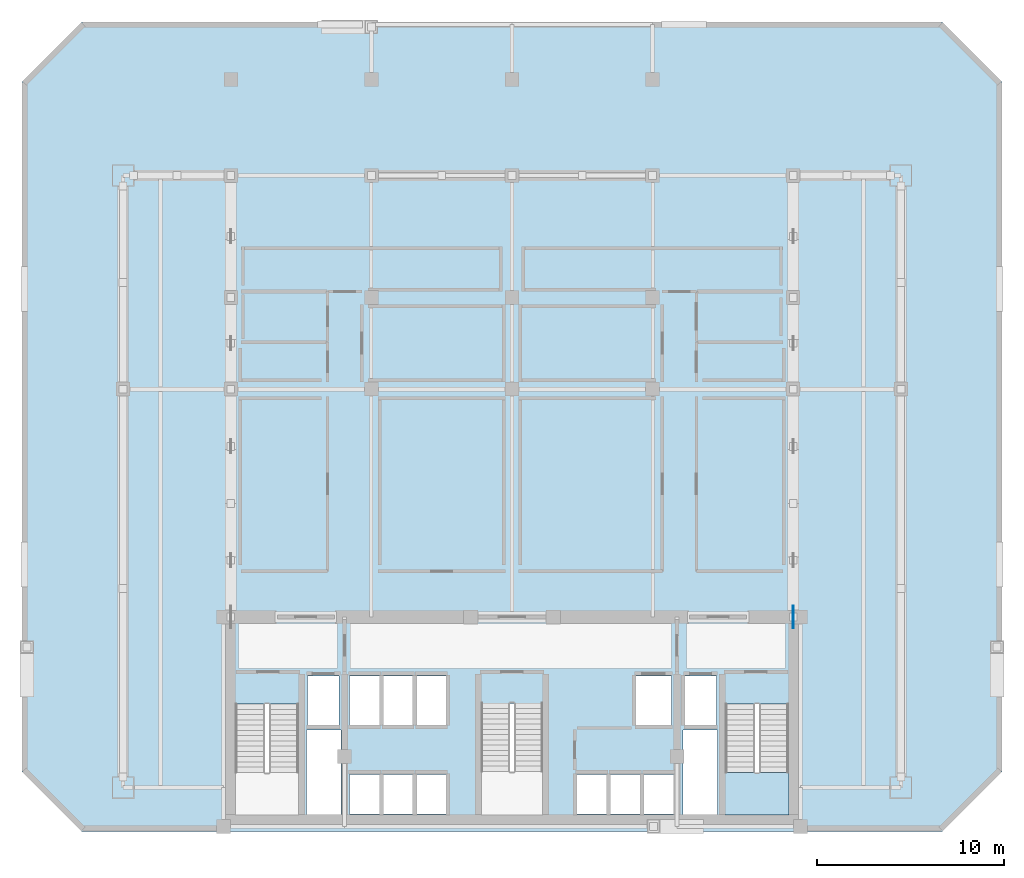
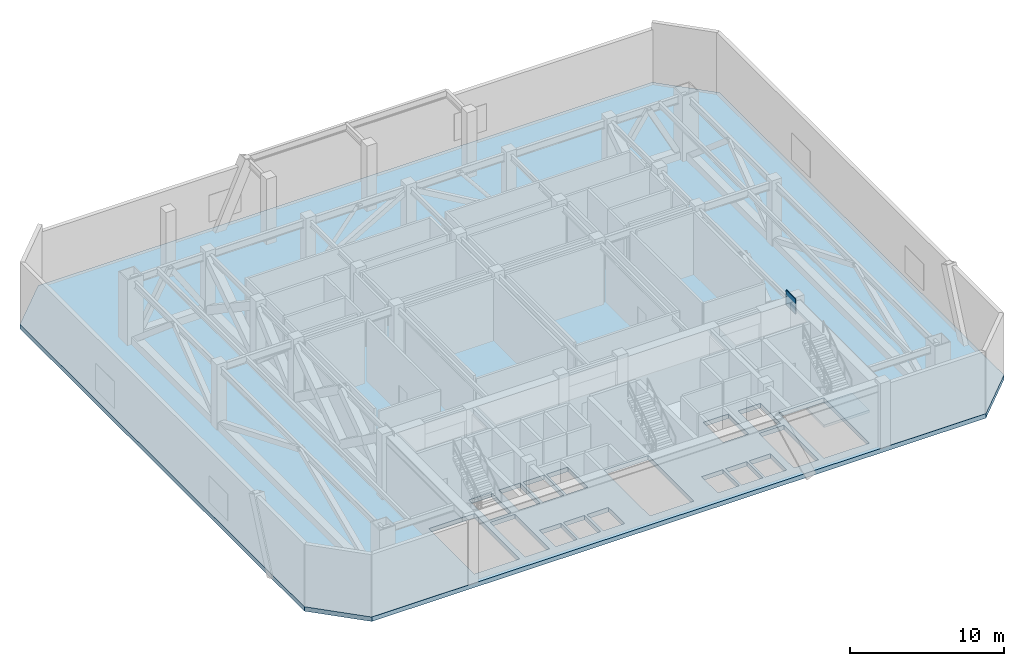
# One storey, part 4 of 10: 2 slabs, 1 plate, 1 element without a shape of its own.
"""IFC4 building model written with IfcOpenShell, lengths in metres."""

from ifc_helpers import new_model, si_unit, direction, frame, origin, origin_2d, place, context, subcontext, project, spatial, polyline, rectangle, outline, extrude, material, layer, layer_set, type_object, element, aggregate, save


model = new_model("IFC4")

# Units and contexts
model_context = context("Model", 3, precision=1e-05, world=origin(), true_north=direction((0.0, 1.0)))
body_context = subcontext(model_context, "Body", "Model", "MODEL_VIEW")
ifc_project = project(units=[si_unit("LENGTHUNIT", "METRE"), si_unit("AREAUNIT", "SQUARE_METRE"), si_unit("VOLUMEUNIT", "CUBIC_METRE"), si_unit("PLANEANGLEUNIT", "RADIAN"), si_unit("MASSUNIT", "GRAM", prefix="KILO")], contexts=[model_context])

# Site, building, storey
site_placement = place(None, origin())
site = spatial("IfcSite", under=ifc_project, at=site_placement, CompositionType="ELEMENT")
building_placement = place(site_placement, origin())
building = spatial("IfcBuilding", under=site, at=building_placement, Name="Ventersveld Concourse Tower", CompositionType="ELEMENT")
storey_placement = place(building_placement, frame((0.0, 0.0, 134.949951171875)))
storey = spatial("IfcBuildingStorey", under=building, at=storey_placement, Name="L33", CompositionType="ELEMENT", Elevation=134.949951171875)

# Plate
ifc_material_1 = material(Name="Structural steel S355J2", Category="steel")
ifc_layer_1 = layer(ifc_material_1, 0.0400390625)
ifc_layer_set_1 = layer_set([ifc_layer_1], Name="Structural steel S355J2")
plate_type = type_object("IfcPlateType", Name="PL-GUSSET-40", PredefinedType="USERDEFINED", material=ifc_layer_set_1)
plate_placement = place(storey_placement, frame((43.75, 11.449951171875, 4.0703125), z_axis=(0.0, 0.0, 1.0), x_axis=(1.0, 0.0, 0.0)))
element("IfcPlate", 1, at=plate_placement, inside=storey, type_object=plate_type, Name="L33 Outrigger Core Gusset Node Plate E", ObjectType="GUSSET_PLATE", PredefinedType="USERDEFINED", context=body_context, shape_type="SweptSolid", body=[
    extrude(rectangle(XDim=0.0400390625, YDim=1.199951171875, at=origin_2d()), origin(), (0.0, 0.0, 1.0), 1.199951171875),
])

# Slab
ifc_material_2 = material(Name="Concrete C50/60", Category="concrete")
ifc_layer_2 = layer(ifc_material_2, 0.35009765625)
ifc_layer_set_2 = layer_set([ifc_layer_2], Name="Concrete C50/60")
slab_type_1 = type_object("IfcSlabType", Name="SL-FLR-350", PredefinedType="FLOOR", material=ifc_layer_set_2)
slab_1_placement = place(storey_placement, frame((0.0, 0.0, -0.349853515625)))
element("IfcSlab", 2, at=slab_1_placement, inside=storey, type_object=slab_type_1, Name="L33 Composite Floor Slab", PredefinedType="FLOOR", context=body_context, shape_type="SweptSolid", body=[
    extrude(outline(polyline([(5.800048828125, 0.0), (51.699951171875, 0.0), (54.89990234375, 3.199951171875), (54.89990234375, 40.0), (51.699951171875, 43.199951171875), (5.800048828125, 43.199951171875), (2.60009765625, 40.0), (2.60009765625, 3.199951171875), (5.800048828125, 0.0)]), holes=[polyline([(13.97998046875, 6.794921875), (13.97998046875, 0.89990234375), (17.3798828125, 0.89990234375), (17.3798828125, 6.794921875), (13.97998046875, 6.794921875)]), polyline([(40.1201171875, 6.794921875), (40.1201171875, 0.89990234375), (43.52001953125, 0.89990234375), (43.52001953125, 6.794921875), (40.1201171875, 6.794921875)]), polyline([(27.10009765625, 6.844970703125), (27.10009765625, 0.89990234375), (30.39990234375, 0.89990234375), (30.39990234375, 6.844970703125), (27.10009765625, 6.844970703125)]), polyline([(17.85009765625, 5.699951171875), (19.530029296875, 5.699951171875), (19.530029296875, 8.300048828125), (17.85009765625, 8.300048828125), (17.85009765625, 5.699951171875)]), polyline([(37.969970703125, 5.699951171875), (39.64990234375, 5.699951171875), (39.64990234375, 8.300048828125), (37.969970703125, 8.300048828125), (37.969970703125, 5.699951171875)]), polyline([(35.35009765625, 5.699951171875), (37.25, 5.699951171875), (37.25, 8.300048828125), (35.35009765625, 8.300048828125), (35.35009765625, 5.699951171875)]), polyline([(20.090087890625, 0.949951171875), (21.68994140625, 0.949951171875), (21.68994140625, 3.050048828125), (20.090087890625, 3.050048828125), (20.090087890625, 0.949951171875)]), polyline([(21.8701171875, 0.949951171875), (23.469970703125, 0.949951171875), (23.469970703125, 3.050048828125), (21.8701171875, 3.050048828125), (21.8701171875, 0.949951171875)]), polyline([(23.64990234375, 0.949951171875), (25.25, 0.949951171875), (25.25, 3.050048828125), (23.64990234375, 3.050048828125), (23.64990234375, 0.949951171875)]), polyline([(32.2099609375, 0.949951171875), (33.81005859375, 0.949951171875), (33.81005859375, 3.050048828125), (32.2099609375, 3.050048828125), (32.2099609375, 0.949951171875)]), polyline([(33.989990234375, 0.949951171875), (35.590087890625, 0.949951171875), (35.590087890625, 3.050048828125), (33.989990234375, 3.050048828125), (33.989990234375, 0.949951171875)]), polyline([(35.77001953125, 0.949951171875), (37.3701171875, 0.949951171875), (37.3701171875, 3.050048828125), (35.77001953125, 3.050048828125), (35.77001953125, 0.949951171875)]), polyline([(20.090087890625, 5.699951171875), (21.68994140625, 5.699951171875), (21.68994140625, 8.300048828125), (20.090087890625, 8.300048828125), (20.090087890625, 5.699951171875)]), polyline([(21.8701171875, 5.699951171875), (23.469970703125, 5.699951171875), (23.469970703125, 8.300048828125), (21.8701171875, 8.300048828125), (21.8701171875, 5.699951171875)]), polyline([(23.64990234375, 5.699951171875), (25.25, 5.699951171875), (25.25, 8.300048828125), (23.64990234375, 8.300048828125), (23.64990234375, 5.699951171875)]), polyline([(17.780029296875, 0.919921875), (19.6201171875, 0.919921875), (19.6201171875, 5.419921875), (17.780029296875, 5.419921875), (17.780029296875, 0.919921875)]), polyline([(37.8798828125, 0.919921875), (39.719970703125, 0.919921875), (39.719970703125, 5.419921875), (37.8798828125, 5.419921875), (37.8798828125, 0.919921875)])]), origin(), (0.0, 0.0, 1.0), 0.349853515625),
])

# Stair, slab
stair_type = type_object("IfcStairType", Name="ST-DOG-160", PredefinedType="HALF_TURN_STAIR", material=ifc_material_2)
stair_placement = place(storey_placement, origin())
stair = element("IfcStair", 3, at=stair_placement, inside=storey, type_object=stair_type, Name="L33 Protected Tower Escape Stair ST-02", PredefinedType="HALF_TURN_STAIR")
ifc_layer_3 = layer(ifc_material_2, 0.199951171875)
ifc_layer_set_3 = layer_set([ifc_layer_3], Name="Concrete C50/60")
slab_type_2 = type_object("IfcSlabType", Name="SL-LND-200", PredefinedType="LANDING", material=ifc_layer_set_3)
slab_2_placement = place(storey_placement, frame((0.0, 0.0, 2.400146484375)))
slab_2 = element("IfcSlab", 4, at=slab_2_placement, type_object=slab_type_2, Name="ST-02 landing 1", PredefinedType="LANDING", context=body_context, shape_type="SweptSolid", body=[
    extrude(outline(polyline([(40.1201171875, 3.159912109375), (40.1201171875, 0.89990234375), (43.52001953125, 0.89990234375), (43.52001953125, 3.159912109375), (40.1201171875, 3.159912109375)])), origin(), (0.0, 0.0, 1.0), 0.199951171875),
])
aggregate(stair, [slab_2])

save(model, "model.ifc")
